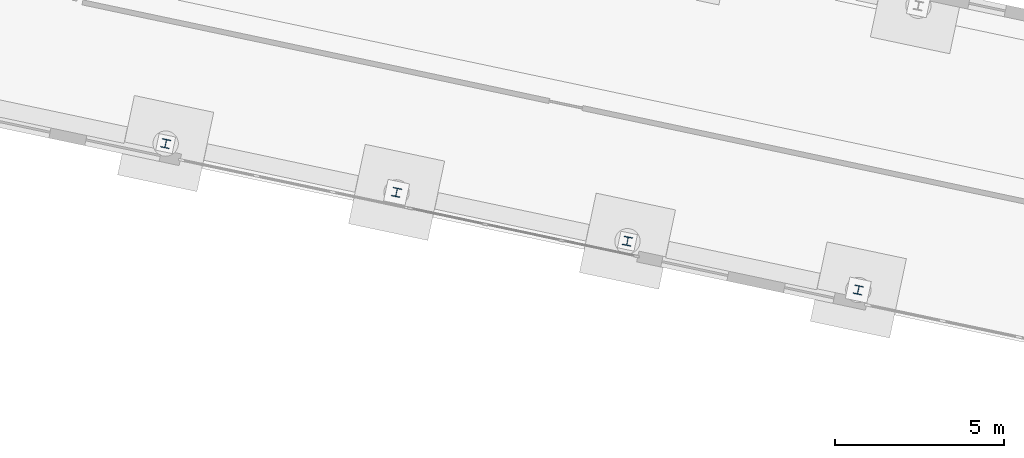
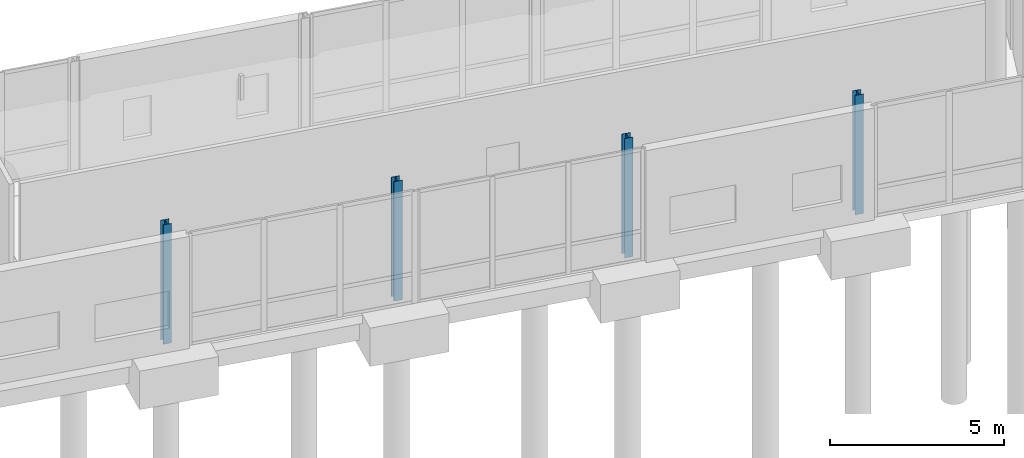
# One storey, part 9 of 113: 4 columns.
"""IFC4 building model written with IfcOpenShell, lengths in metres."""

from ifc_helpers import new_model, si_unit, direction, frame, origin, origin_2d, place, context, subcontext, project, spatial, i_section, extrude, material, material_profile, profile_set, type_object, element, save


model = new_model("IFC4")

# Units and contexts
model_context = context("Model", 3, precision=1e-05, world=origin(), true_north=direction((0.0, 1.0)))
body_context = subcontext(model_context, "Body", "Model", "MODEL_VIEW")
ifc_project = project(units=[si_unit("LENGTHUNIT", "METRE"), si_unit("AREAUNIT", "SQUARE_METRE"), si_unit("VOLUMEUNIT", "CUBIC_METRE"), si_unit("PLANEANGLEUNIT", "RADIAN"), si_unit("MASSUNIT", "GRAM", prefix="KILO")], contexts=[model_context])

# Site, building, storey
site_placement = place(None, origin())
site = spatial("IfcSite", under=ifc_project, at=site_placement, CompositionType="ELEMENT")
building_placement = place(site_placement, origin())
building = spatial("IfcBuilding", under=site, at=building_placement, Name="Wrenclough Park School", CompositionType="ELEMENT")
storey_placement = place(building_placement, origin())
storey = spatial("IfcBuildingStorey", under=building, at=storey_placement, Name="L00", CompositionType="ELEMENT", Elevation=0.0)

# Columns
ifc_material = material(Name="Structural steel S355", Category="steel")
ifc_material_profile = material_profile(ifc_material, i_section(OverallWidth=0.254638671875, OverallDepth=0.254150390625, WebThickness=0.008544921875, FlangeThickness=0.01416015625, FilletRadius=0.0126953125, at=origin_2d()), Name="UKC 254x254x73")
ifc_profile_set = profile_set([ifc_material_profile], Name="Structural steel S355")
column_type = type_object("IfcColumnType", Name="STR-COL-UKC254A", PredefinedType="COLUMN", material=ifc_profile_set)
for number, where, z_axis, x_axis, name in (
    (1, (106.77734375, 32.404052734375, 0.0), (0.0, 0.0, 1.0), (0.978364788978, -0.206887263232, 0.0), "W12 L00 column W12-C2-R02"),
    (2, (113.610595703125, 30.959716796875, 0.0), (0.0, 0.0, 1.0), (0.978364788978, -0.206887263232, 0.0), "W12 L00 column W12-C2-R03"),
    (3, (120.444091796875, 29.51513671875, 0.0), (0.0, 0.0, 1.0), (0.978364788978, -0.206887263232, 0.0), "W12 L00 column W12-C2-R04"),
    (4, (127.27734375, 28.07080078125, 0.0), (0.0, 0.0, 1.0), (0.978364788978, -0.206887263232, 0.0), "W12 L00 column W12-C2-R05"),
):
    element("IfcColumn", number, at=place(storey_placement, frame(where, z_axis=z_axis, x_axis=x_axis)), inside=storey, type_object=column_type, Name=name, PredefinedType="COLUMN", context=body_context, shape_type="SweptSolid", body=[
        extrude(i_section(OverallWidth=0.254638671875, OverallDepth=0.254150390625, WebThickness=0.008544921875, FlangeThickness=0.01416015625, FilletRadius=0.0126953125, at=origin_2d()), origin(), (0.0, 0.0, 1.0), 4.199951171875),
    ])

save(model, "model.ifc")
